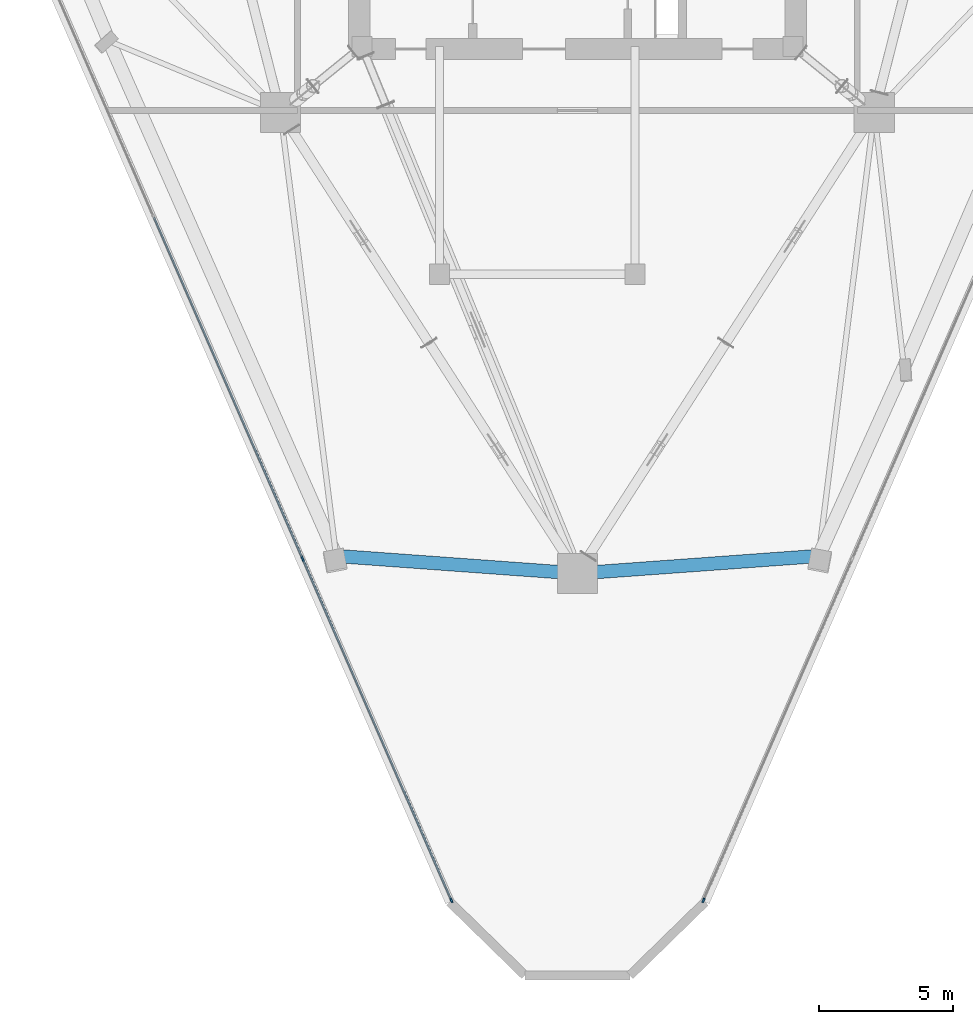
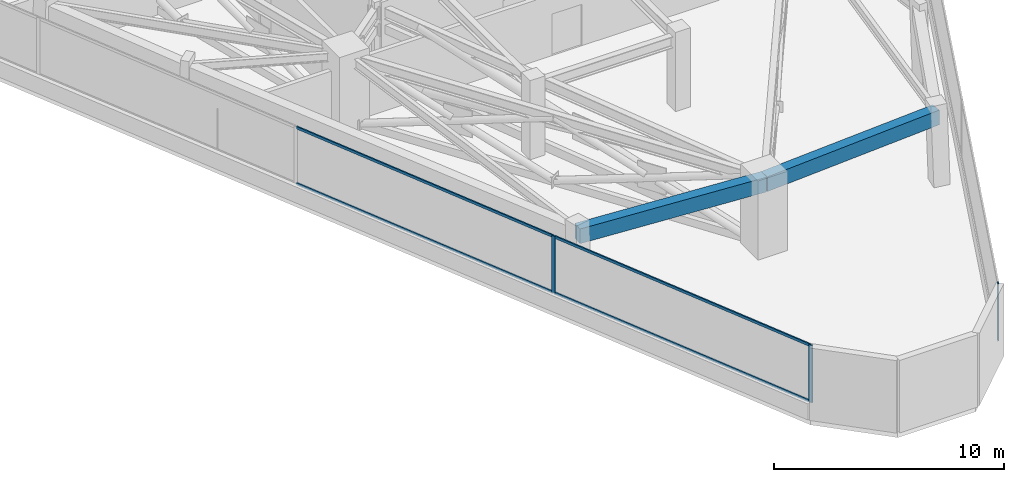
# One storey, part 2 of 13: 7 members, 2 beams, 2 elements without a shape of their own.
"""IFC4 building model written with IfcOpenShell, lengths in metres."""

import ifcopenshell
import ifcopenshell.guid

model = None  # the IFC model being written
_history = None  # IfcOwnerHistory: only IFC2X3 demands one
_inside = {}  # id of a spatial element -> (the spatial element, [elements in it])
_under = {}  # id of a project, library or spatial element -> (it, [spatial elements below it])
_declared = {}  # id of a project -> (the project, [libraries it declares])
_typed = {}  # id of a type object -> (the type object, [elements of that type])
_made_of = {}  # id of a material, layer set ... -> (it, [elements and type objects made of it])


def new_model(schema):
    """Start an empty IFC model of exactly this schema.

    Asked for "IFC4X3", IfcOpenShell would pick the latest addendum, in which some entities
    have other attributes; the version numbers below select the first issue.
    IFC2X3 requires an IfcOwnerHistory on every rooted entity: one is made here for all.
    """
    global model, _history
    if schema == "IFC4X3":
        model = ifcopenshell.file(schema_version=(4, 3, 0, 0))
    else:
        model = ifcopenshell.file(schema=schema)
    _inside.clear()
    _under.clear()
    _declared.clear()
    _typed.clear()
    _made_of.clear()
    _history = None
    if model.schema == "IFC2X3":
        org = make("IfcOrganization", Name="unknown")
        user = make(
            "IfcPersonAndOrganization",
            ThePerson=make("IfcPerson", FamilyName="unknown"),
            TheOrganization=org,
        )
        app = make(
            "IfcApplication",
            ApplicationDeveloper=org,
            Version="unknown",
            ApplicationFullName="unknown",
            ApplicationIdentifier="unknown",
        )
        _history = make(
            "IfcOwnerHistory",
            OwningUser=user,
            OwningApplication=app,
            ChangeAction="ADDED",
            CreationDate=0,
        )
    return model


def make(cls, **values):
    """One entity of the class cls with the attributes given. An attribute that is None is left unset."""
    return model.create_entity(
        cls, **{name: value for name, value in values.items() if value is not None}
    )


def rooted(cls, **values):
    """An entity with a GlobalId (a new one), such as an element, a storey or a relation."""
    return make(cls, GlobalId=ifcopenshell.guid.new(), OwnerHistory=_history, **values)


def si_unit(unit_type, name, prefix=None):
    """IfcSIUnit, for example si_unit("LENGTHUNIT", "METRE", prefix="MILLI")."""
    return make("IfcSIUnit", UnitType=unit_type, Prefix=prefix, Name=name)


def assignment(units):
    """IfcUnitAssignment: the units of a project."""
    return None if units is None else make("IfcUnitAssignment", Units=units)


def point(xyz):
    """IfcCartesianPoint."""
    return None if xyz is None else make("IfcCartesianPoint", Coordinates=xyz)


def direction(xyz):
    """IfcDirection."""
    return None if xyz is None else make("IfcDirection", DirectionRatios=xyz)


def frame(location, z_axis=None, x_axis=None):
    """IfcAxis2Placement3D, a coordinate frame: its origin and axes. An axis left out is left unset."""
    return make(
        "IfcAxis2Placement3D",
        Location=point(location),
        Axis=direction(z_axis),
        RefDirection=direction(x_axis),
    )


def frame_2d(location, x_axis=None):
    """IfcAxis2Placement2D, a coordinate frame in the plane: its origin and x axis."""
    return make(
        "IfcAxis2Placement2D", Location=point(location), RefDirection=direction(x_axis)
    )


def origin():
    """The frame at (0, 0, 0) with its axes left unset."""
    return frame((0.0, 0.0, 0.0))


def origin_2d():
    """The frame at (0, 0) in the plane with its x axis left unset."""
    return frame_2d((0.0, 0.0))


def place(relative_to, where):
    """IfcLocalPlacement: puts the frame where relative to a parent placement (None: the world)."""
    return make(
        "IfcLocalPlacement", PlacementRelTo=relative_to, RelativePlacement=where
    )


def context(
    kind, dimensions, precision=None, world=None, true_north=None, identifier=None
):
    """IfcGeometricRepresentationContext, for example the 3D "Model" context."""
    return make(
        "IfcGeometricRepresentationContext",
        ContextIdentifier=identifier,
        ContextType=kind,
        CoordinateSpaceDimension=dimensions,
        Precision=precision,
        WorldCoordinateSystem=world,
        TrueNorth=true_north,
    )


def subcontext(parent, identifier, kind, view, scale=None):
    """IfcGeometricRepresentationSubContext, for example "Body" below "Model"."""
    return make(
        "IfcGeometricRepresentationSubContext",
        ContextIdentifier=identifier,
        ContextType=kind,
        ParentContext=parent,
        TargetScale=scale,
        TargetView=view,
    )


def project(units=None, contexts=None):
    """IfcProject with its units and contexts."""
    return rooted(
        "IfcProject",
        Name="project",
        RepresentationContexts=contexts,
        UnitsInContext=assignment(units),
    )


def spatial(cls, under=None, at=None, **own):
    """A site, building, storey or space (cls), placed at a placement, below another one or the project."""
    s = rooted(cls, ObjectPlacement=at, **own)
    if under is not None:
        _under.setdefault(under.id(), (under, []))[1].append(s)
    return s


def profile(cls, at=None, kind="AREA", **sizes):
    """A parametric profile (cls). Its sizes go by their IFC names, for example OverallWidth=200.0."""
    return make(cls, ProfileType=kind, Position=at, **sizes)


def rectangle(**sizes):
    """IfcRectangleProfileDef."""
    return profile("IfcRectangleProfileDef", **sizes)


def extrude(swept, where, along, depth):
    """IfcExtrudedAreaSolid: the profile swept, set in the frame where, extruded along a direction by depth."""
    return make(
        "IfcExtrudedAreaSolid",
        SweptArea=swept,
        Position=where,
        ExtrudedDirection=direction(along),
        Depth=depth,
    )


def shape(context_of_items, identifier, shape_type, items):
    """IfcShapeRepresentation: the items that make up one representation, for example the "Body"."""
    return make(
        "IfcShapeRepresentation",
        ContextOfItems=context_of_items,
        RepresentationIdentifier=identifier,
        RepresentationType=shape_type,
        Items=items,
    )


def material(Name=None, Category=None):
    """IfcMaterial."""
    return make("IfcMaterial", Name=Name, Category=Category)


def layer(
    of_material, thickness, ventilated=None, Name=None, Category=None, Priority=None
):
    """IfcMaterialLayer: one layer of a wall or slab, of a material (None: an air gap)."""
    return make(
        "IfcMaterialLayer",
        Material=of_material,
        LayerThickness=thickness,
        IsVentilated=ventilated,
        Name=Name,
        Category=Category,
        Priority=Priority,
    )


def layer_set(layers, Name=None):
    """IfcMaterialLayerSet."""
    return make("IfcMaterialLayerSet", MaterialLayers=layers, LayerSetName=Name)


def material_profile(
    of_material, cross_section, Name=None, Category=None, Priority=None
):
    """IfcMaterialProfile: a cross section and its material."""
    return make(
        "IfcMaterialProfile",
        Name=Name,
        Material=of_material,
        Profile=cross_section,
        Priority=Priority,
        Category=Category,
    )


def profile_set(profiles, Name=None, composite=None):
    """IfcMaterialProfileSet."""
    return make(
        "IfcMaterialProfileSet",
        Name=Name,
        MaterialProfiles=profiles,
        CompositeProfile=composite,
    )


def made_of(thing, what):
    """Note that an element or type object is made of a material, layer set ...; save() writes the relation."""
    if what is not None:
        _made_of.setdefault(what.id(), (what, []))[1].append(thing)
    return thing


def type_object(cls, material=None, **own):
    """A type object (cls), such as IfcWallType, which elements share."""
    return made_of(rooted(cls, **own), material)


def element(
    cls,
    number,
    at=None,
    inside=None,
    cuts=None,
    type_object=None,
    material=None,
    context=None,
    identifier="Body",
    shape_type=None,
    held_by="IfcProductDefinitionShape",
    body=None,
    shapes=None,
    **own,
):
    """One element of the class cls, such as IfcWall. Its Tag is "e" and its number.

    at: its placement. inside: the storey or other place that contains it. cuts: it is an
    opening in that element (IfcRelVoidsElement). A single representation is given by context,
    identifier, shape_type and body (its items); several are given by shapes. held_by: the class
    of the entity that holds the representations. save() writes the other relations.
    """
    e = rooted(cls, Tag="e%d" % number, ObjectPlacement=at, **own)
    if body is not None:
        shapes = [shape(context, identifier, shape_type, body)]
    if shapes is not None:
        e.Representation = make(held_by, Representations=shapes)
    if inside is not None:
        _inside.setdefault(inside.id(), (inside, []))[1].append(e)
    if cuts is not None:
        rooted(
            "IfcRelVoidsElement", RelatingBuildingElement=cuts, RelatedOpeningElement=e
        )
    if type_object is not None:
        _typed.setdefault(type_object.id(), (type_object, []))[1].append(e)
    return made_of(e, material)


def aggregate(whole, parts):
    """IfcRelAggregates: a whole, such as a stair, and the parts it consists of."""
    return rooted("IfcRelAggregates", RelatingObject=whole, RelatedObjects=parts)


def save(model, path):
    """Write the relations noted so far, then the file.

    IfcRelAggregates (storeys below a building ...), IfcRelContainedInSpatialStructure (elements
    in a storey), IfcRelDefinesByType, IfcRelAssociatesMaterial and IfcRelDeclares: one each for
    every whole, place, type object, material and project.
    """
    for whole, parts in _under.values():
        aggregate(whole, parts)
    for where, things in _inside.values():
        rooted(
            "IfcRelContainedInSpatialStructure",
            RelatedElements=things,
            RelatingStructure=where,
        )
    for kind, things in _typed.values():
        rooted("IfcRelDefinesByType", RelatedObjects=things, RelatingType=kind)
    for what, things in _made_of.values():
        rooted("IfcRelAssociatesMaterial", RelatedObjects=things, RelatingMaterial=what)
    for by, libraries in _declared.values():
        rooted("IfcRelDeclares", RelatingContext=by, RelatedDefinitions=libraries)
    model.write(path)


model = new_model("IFC4")

# Units and contexts
model_context = context("Model", 3, precision=1e-05, world=origin(), true_north=direction((0.0, 1.0)))
body_context = subcontext(model_context, "Body", "Model", "MODEL_VIEW")
ifc_project = project(units=[si_unit("LENGTHUNIT", "METRE"), si_unit("AREAUNIT", "SQUARE_METRE"), si_unit("VOLUMEUNIT", "CUBIC_METRE"), si_unit("PLANEANGLEUNIT", "RADIAN"), si_unit("MASSUNIT", "GRAM", prefix="KILO")], contexts=[model_context])

# Site, building, storey
site_placement = place(None, origin())
site = spatial("IfcSite", under=ifc_project, at=site_placement, CompositionType="ELEMENT")
building_placement = place(site_placement, origin())
building = spatial("IfcBuilding", under=site, at=building_placement, Name="Talyreon Biosciences Tower", CompositionType="ELEMENT")
storey_placement = place(building_placement, frame((0.0, 0.0, 171.0)))
storey = spatial("IfcBuildingStorey", under=building, at=storey_placement, Name="L45", CompositionType="ELEMENT", Elevation=171.0)

# Curtain wall, members
ifc_material_1 = material(Name="Thermally broken aluminium and low-E glazing", Category="aluminium")
ifc_layer = layer(ifc_material_1, 0.18505859375)
ifc_layer_set = layer_set([ifc_layer], Name="Thermally broken aluminium and low-E glazing")
curtain_wall_type = type_object("IfcCurtainWallType", Name="CurtainWall_Zone3Bioprocess", PredefinedType="NOTDEFINED", material=ifc_layer_set)
curtain_wall_1_placement = place(storey_placement, origin())
curtain_wall_1 = element("IfcCurtainWall", 1, at=curtain_wall_1_placement, inside=storey, type_object=curtain_wall_type, Name="L45 Unitised Curtain Wall FCW-L45-00", PredefinedType="NOTDEFINED")
ifc_material_2 = material(Name="Anodised thermally broken aluminium", Category="aluminium")
ifc_material_profile_1 = material_profile(ifc_material_2, rectangle(XDim=0.06494140625, YDim=0.179931640625, at=origin_2d()), Name="ALUM MULLION 65x180")
ifc_profile_set_1 = profile_set([ifc_material_profile_1], Name="Anodised thermally broken aluminium")
member_type_1 = type_object("IfcMemberType", Name="CWMullion_65x180", PredefinedType="MULLION", material=ifc_profile_set_1)
member_1_placement = place(storey_placement, frame((61.292724609375, 29.457275390625, 0.81005859375), z_axis=(0.0, 0.0, 1.0), x_axis=(-0.916820215501, -0.399300253505, 0.0)))
member_1 = element("IfcMember", 2, at=member_1_placement, type_object=member_type_1, Name="CW4 mullion 1", PredefinedType="MULLION", context=body_context, shape_type="SweptSolid", body=[
    extrude(rectangle(XDim=0.06494140625, YDim=0.179931640625, at=origin_2d()), origin(), (0.0, 0.0, 1.0), 3.0400390625),
])
member_2_placement = place(storey_placement, frame((55.740478515625, 42.205810546875, 0.81005859375), z_axis=(0.0, 0.0, 1.0), x_axis=(-0.916820215501, -0.399300253505, 0.0)))
member_2 = element("IfcMember", 3, at=member_2_placement, type_object=member_type_1, Name="CW4 mullion 2", PredefinedType="MULLION", context=body_context, shape_type="SweptSolid", body=[
    extrude(rectangle(XDim=0.06494140625, YDim=0.179931640625, at=origin_2d()), origin(), (0.0, 0.0, 1.0), 3.0400390625),
])

# Curtain wall, member
curtain_wall_2_placement = place(storey_placement, origin())
curtain_wall_2 = element("IfcCurtainWall", 4, at=curtain_wall_2_placement, inside=storey, type_object=curtain_wall_type, Name="L45 Unitised Curtain Wall FCW-L45-08", PredefinedType="NOTDEFINED")
member_3_placement = place(storey_placement, frame((70.707275390625, 29.457275390625, 0.81005859375), z_axis=(0.0, 0.0, 1.0), x_axis=(0.916820215501, -0.399300253505, 0.0)))
member_3 = element("IfcMember", 5, at=member_3_placement, type_object=member_type_1, Name="CW4 mullion 5", PredefinedType="MULLION", context=body_context, shape_type="SweptSolid", body=[
    extrude(rectangle(XDim=0.06494140625, YDim=0.179931640625, at=origin_2d()), origin(), (0.0, 0.0, 1.0), 3.0400390625),
])
aggregate(curtain_wall_2, [member_3])

# Member
ifc_material_profile_2 = material_profile(ifc_material_2, rectangle(XDim=0.06494140625, YDim=0.139892578125, at=origin_2d()), Name="ALUM TRANSOM 65x140")
ifc_profile_set_2 = profile_set([ifc_material_profile_2], Name="Anodised thermally broken aluminium")
member_type_2 = type_object("IfcMemberType", Name="CWTransom_65x140", PredefinedType="USERDEFINED", material=ifc_profile_set_2)
member_4_placement = place(storey_placement, frame((61.27978515625, 29.487060546875, 0.842529296875), z_axis=(-0.399298814497, 0.916820842227, 0.0), x_axis=(-0.916820842227, -0.399298814497, 0.0)))
member_4 = element("IfcMember", 6, at=member_4_placement, type_object=member_type_2, Name="CW4 transom 1.1", ObjectType="TRANSOM", PredefinedType="USERDEFINED", context=body_context, shape_type="SweptSolid", body=[
    extrude(rectangle(XDim=0.06494140625, YDim=0.139892578125, at=origin_2d()), origin(), (0.0, 0.0, 1.0), 13.840087890625),
])

member_5_placement = place(storey_placement, frame((61.27978515625, 29.487060546875, 3.8173828125), z_axis=(-0.399298814497, 0.916820842227, 0.0), x_axis=(-0.916820842227, -0.399298814497, 0.0)))
member_5 = element("IfcMember", 7, at=member_5_placement, type_object=member_type_2, Name="CW4 transom 1.2", ObjectType="TRANSOM", PredefinedType="USERDEFINED", context=body_context, shape_type="SweptSolid", body=[
    extrude(rectangle(XDim=0.06494140625, YDim=0.139892578125, at=origin_2d()), origin(), (0.0, 0.0, 1.0), 13.840087890625),
])

member_6_placement = place(storey_placement, frame((55.7275390625, 42.235595703125, 0.842529296875), z_axis=(-0.399305180689, 0.916818069562, 0.0), x_axis=(-0.916818069562, -0.399305180689, 0.0)))
member_6 = element("IfcMember", 8, at=member_6_placement, type_object=member_type_2, Name="CW4 transom 2.1", ObjectType="TRANSOM", PredefinedType="USERDEFINED", context=body_context, shape_type="SweptSolid", body=[
    extrude(rectangle(XDim=0.06494140625, YDim=0.139892578125, at=origin_2d()), origin(), (0.0, 0.0, 1.0), 13.873046875),
])

member_7_placement = place(storey_placement, frame((55.7275390625, 42.235595703125, 3.8173828125), z_axis=(-0.399305180689, 0.916818069562, 0.0), x_axis=(-0.916818069562, -0.399305180689, 0.0)))
member_7 = element("IfcMember", 9, at=member_7_placement, type_object=member_type_2, Name="CW4 transom 2.2", ObjectType="TRANSOM", PredefinedType="USERDEFINED", context=body_context, shape_type="SweptSolid", body=[
    extrude(rectangle(XDim=0.06494140625, YDim=0.139892578125, at=origin_2d()), origin(), (0.0, 0.0, 1.0), 13.873046875),
])

aggregate(curtain_wall_1, [member_1, member_2, member_4, member_5, member_6, member_7])

# Beams
ifc_material_3 = material(Name="Precast concrete C45/55", Category="concrete")
ifc_material_profile_3 = material_profile(ifc_material_3, rectangle(XDim=0.5, YDim=0.780029296875, at=origin_2d()), Name="RCB 500x780")
ifc_profile_set_3 = profile_set([ifc_material_profile_3], Name="Precast concrete C45/55")
beam_type = type_object("IfcBeamType", Name="ExpressedSpandrel_500x780", PredefinedType="SPANDREL", material=ifc_profile_set_3)
for number, where, z_axis, x_axis, name in (
    (10, (66.0, 41.6669921875, 3.4599609375), (0.997377959463, 0.07236854274, 0.0), (-0.07236854274, 0.997377959463, 0.0), "L45 Expressed Horizontal Concrete Spandrel 01"),
    (11, (56.9892578125, 42.32080078125, 3.4599609375), (0.997377959463, -0.07236854274, 0.0), (0.07236854274, 0.997377959463, 0.0), "L45 Expressed Horizontal Concrete Spandrel 12"),
):
    element("IfcBeam", number, at=place(storey_placement, frame(where, z_axis=z_axis, x_axis=x_axis)), inside=storey, type_object=beam_type, Name=name, PredefinedType="SPANDREL", context=body_context, shape_type="SweptSolid", body=[
        extrude(rectangle(XDim=0.5, YDim=0.780029296875, at=origin_2d()), origin(), (0.0, 0.0, 1.0), 9.034423828125),
    ])

save(model, "model.ifc")
